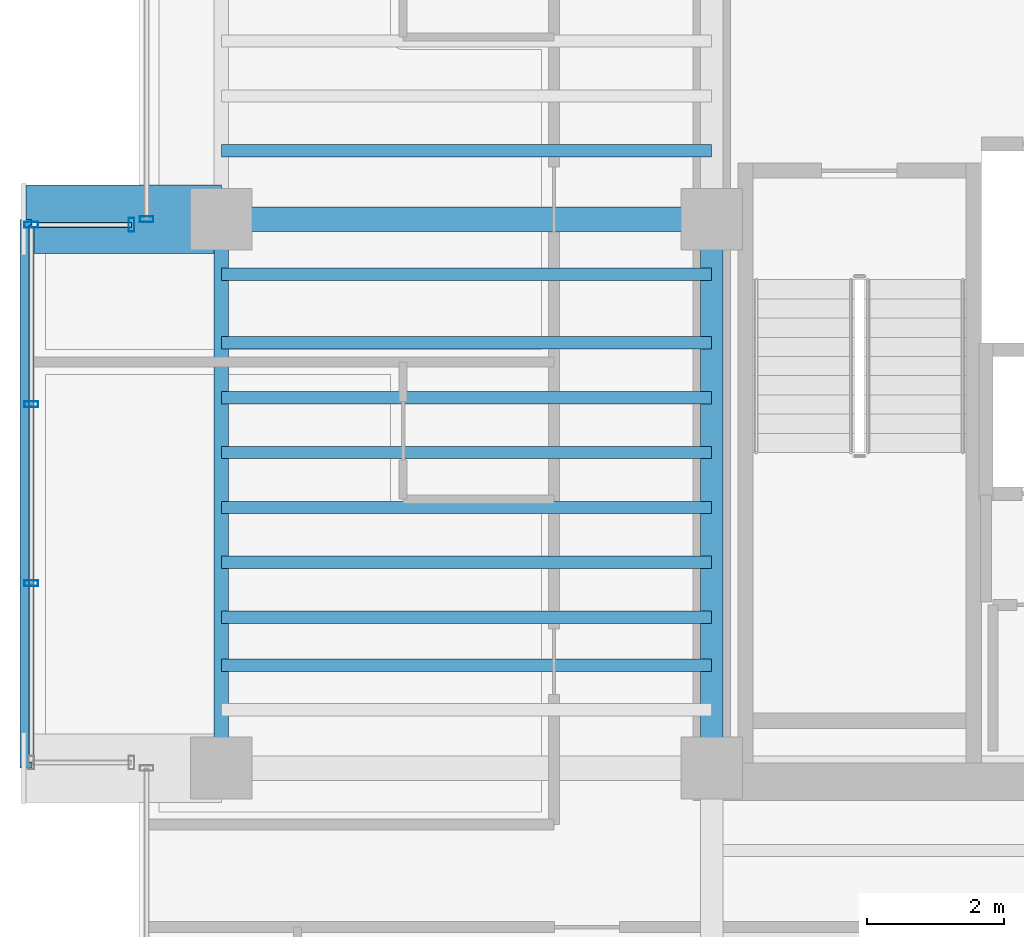
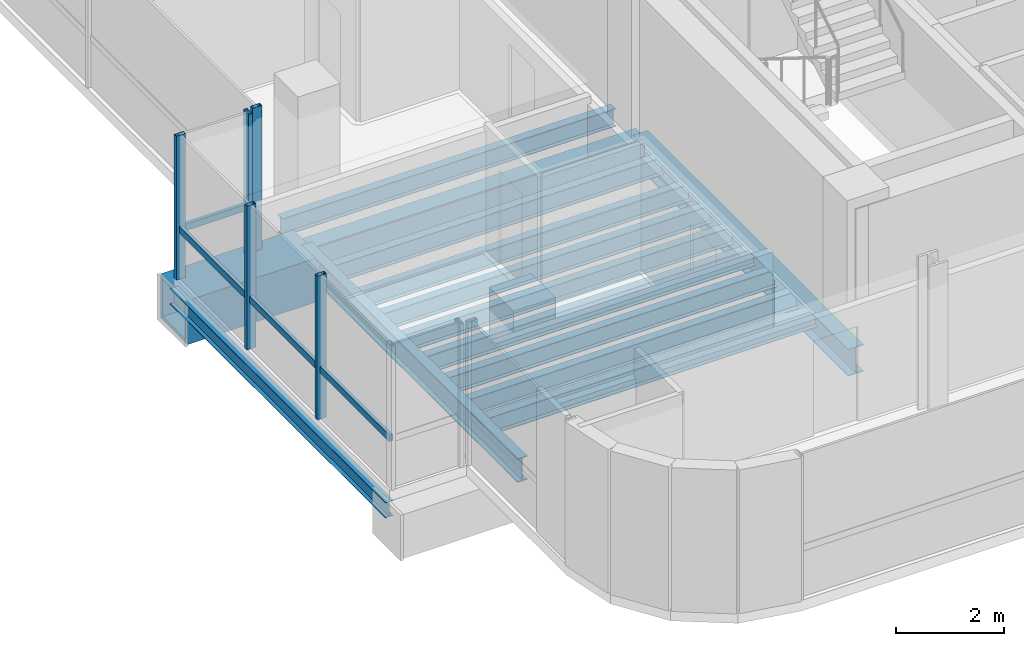
# One storey, part 4 of 24: 14 beams, 7 members, 3 elements without a shape of their own.
"""IFC4 building model written with IfcOpenShell, lengths in metres."""

from ifc_helpers import new_model, si_unit, direction, frame, origin, origin_2d, place, context, subcontext, project, spatial, hollow_rectangle, i_section, extrude, source, transform, mapped, material, material_profile, profile_set, type_object, element, aggregate, save


model = new_model("IFC4")

# Units and contexts
model_context = context("Model", 3, precision=1e-05, world=origin(), true_north=direction((0.0, 1.0)))
body_context = subcontext(model_context, "Body", "Model", "MODEL_VIEW")
ifc_project = project(units=[si_unit("LENGTHUNIT", "METRE"), si_unit("AREAUNIT", "SQUARE_METRE"), si_unit("VOLUMEUNIT", "CUBIC_METRE"), si_unit("PLANEANGLEUNIT", "RADIAN"), si_unit("MASSUNIT", "GRAM", prefix="KILO")], contexts=[model_context])

# Site, building, storey
site_placement = place(None, origin())
site = spatial("IfcSite", under=ifc_project, at=site_placement, CompositionType="ELEMENT")
building_placement = place(site_placement, origin())
building = spatial("IfcBuilding", under=site, at=building_placement, Name="Valdorenza Pilgrim Sanctuary Tower", CompositionType="ELEMENT")
storey_placement = place(building_placement, frame((0.0, 0.0, 230.0)))
storey = spatial("IfcBuildingStorey", under=building, at=storey_placement, Name="L59", CompositionType="ELEMENT", Elevation=230.0)

# Beams
ifc_material_1 = material(Name="Steel ASTM A992 Grade 50", Category="steel")
ifc_material_profile_1 = material_profile(ifc_material_1, i_section(OverallWidth=0.323974609375, OverallDepth=0.611083984375, WebThickness=0.0126953125, FlangeThickness=0.01904296875, at=origin_2d()), Name="W24X104")
ifc_profile_set_1 = profile_set([ifc_material_profile_1], Name="Steel ASTM A992 Grade 50")
beam_type_1 = type_object("IfcBeamType", Name="STR-BM-GRD-W24B", PredefinedType="BEAM", material=ifc_profile_set_1)
shared_shape_1 = source(origin(), body_context, "Body", "SweptSolid", [
    extrude(i_section(OverallWidth=0.323974609375, OverallDepth=0.611083984375, WebThickness=0.0126953125, FlangeThickness=0.01904296875, at=origin_2d()), origin(), (0.0, 0.0, 1.0), 8.0),
])
beam_1_placement = place(storey_placement, frame((-22.64990234375, -10.60009765625, -0.54541015625), z_axis=(0.0, 1.0, 0.0), x_axis=(-1.0, 0.0, 0.0)))
element("IfcBeam", 1, at=beam_1_placement, inside=storey, type_object=beam_type_1, Name="L59 Core Tie Girder CA-W-S1M0", PredefinedType="BEAM", context=body_context, shape_type="MappedRepresentation", body=[
    mapped(shared_shape_1, transform((0.0, 0.0, 0.0), x_axis=(1.0, 0.0, 0.0), y_axis=(0.0, 1.0, 0.0), z_axis=(0.0, 0.0, 1.0), scale=1.0)),
])
ifc_material_profile_2 = material_profile(ifc_material_1, i_section(OverallWidth=0.1708984375, OverallDepth=0.35107421875, WebThickness=0.0068359375, FlangeThickness=0.009765625, at=origin_2d()), Name="W14X30")
ifc_profile_set_2 = profile_set([ifc_material_profile_2], Name="Steel ASTM A992 Grade 50")
beam_type_2 = type_object("IfcBeamType", Name="STR-BM-BOX-W14", PredefinedType="BEAM", material=ifc_profile_set_2)
shared_shape_2 = source(origin(), body_context, "Body", "SweptSolid", [
    extrude(i_section(OverallWidth=0.1708984375, OverallDepth=0.35107421875, WebThickness=0.0068359375, FlangeThickness=0.009765625, at=origin_2d()), origin(), (0.0, 0.0, 1.0), 8.0),
])
beam_2_placement = place(storey_placement, frame((-32.64990234375, -10.60009765625, -0.41552734375), z_axis=(0.0, 1.0, 0.0), x_axis=(-1.0, 0.0, 0.0)))
element("IfcBeam", 2, at=beam_2_placement, inside=storey, type_object=beam_type_2, Name="L59 Glass Box Edge Beam BOX-WA-L59-F", PredefinedType="BEAM", context=body_context, shape_type="MappedRepresentation", body=[
    mapped(shared_shape_2, transform((0.0, 0.0, 0.0), x_axis=(1.0, 0.0, 0.0), y_axis=(0.0, 1.0, 0.0), z_axis=(0.0, 0.0, 1.0), scale=1.0)),
])
ifc_material_2 = material(Name="Steel ASTM A572 Grade 42", Category="steel")
ifc_material_profile_3 = material_profile(ifc_material_2, hollow_rectangle(XDim=1.0, YDim=1.0, WallThickness=0.080078125, at=origin_2d()), Name="BOX 1000x1000x80")
ifc_profile_set_3 = profile_set([ifc_material_profile_3], Name="Steel ASTM A572 Grade 42")
beam_type_3 = type_object("IfcBeamType", Name="STR-BM-PROW-CANT", PredefinedType="BEAM", material=ifc_profile_set_3)
shared_shape_3 = source(origin(), body_context, "Body", "SweptSolid", [
    extrude(hollow_rectangle(XDim=1.0, YDim=1.0, WallThickness=0.080078125, at=origin_2d()), origin(), (0.0, 0.0, 1.0), 2.849853515625),
])
beam_3_placement = place(storey_placement, frame((-29.800048828125, -2.60009765625, -0.739990234375), z_axis=(-1.0, 0.0, 0.0), x_axis=(0.0, -1.0, 0.0)))
element("IfcBeam", 3, at=beam_3_placement, inside=storey, type_object=beam_type_3, Name="L59 Glass Box Cantilever Beam BOX-WA-L59-CT-N", PredefinedType="BEAM", context=body_context, shape_type="MappedRepresentation", body=[
    mapped(shared_shape_3, transform((0.0, 0.0, 0.0), x_axis=(1.0, 0.0, 0.0), y_axis=(0.0, 1.0, 0.0), z_axis=(0.0, 0.0, 1.0), scale=1.0)),
])
ifc_material_profile_4 = material_profile(ifc_material_1, i_section(OverallWidth=0.2109375, OverallDepth=0.5390625, WebThickness=0.01171875, FlangeThickness=0.018798828125, at=origin_2d()), Name="W21X73")
ifc_profile_set_4 = profile_set([ifc_material_profile_4], Name="Steel ASTM A992 Grade 50")
beam_type_4 = type_object("IfcBeamType", Name="STR-BM-SPN-W21B", PredefinedType="SPANDREL", material=ifc_profile_set_4)
shared_shape_4 = source(origin(), body_context, "Body", "SweptSolid", [
    extrude(i_section(OverallWidth=0.2109375, OverallDepth=0.5390625, WebThickness=0.01171875, FlangeThickness=0.018798828125, at=origin_2d()), origin(), (0.0, 0.0, 1.0), 8.0),
])
beam_4_placement = place(storey_placement, frame((-29.800048828125, -10.60009765625, -0.509521484375), z_axis=(0.0, 1.0, 0.0), x_axis=(-1.0, 0.0, 0.0)))
element("IfcBeam", 4, at=beam_4_placement, inside=storey, type_object=beam_type_4, Name="L59 Spandrel Beam WA-W-S1M0", PredefinedType="SPANDREL", context=body_context, shape_type="MappedRepresentation", body=[
    mapped(shared_shape_4, transform((0.0, 0.0, 0.0), x_axis=(1.0, 0.0, 0.0), y_axis=(0.0, 1.0, 0.0), z_axis=(0.0, 0.0, 1.0), scale=1.0)),
])
ifc_material_profile_5 = material_profile(ifc_material_1, i_section(OverallWidth=0.35595703125, OverallDepth=0.700927734375, WebThickness=0.016845703125, FlangeThickness=0.02734375, at=origin_2d()), Name="W27X161")
ifc_profile_set_5 = profile_set([ifc_material_profile_5], Name="Steel ASTM A992 Grade 50")
beam_type_5 = type_object("IfcBeamType", Name="STR-BM-GRD-W27", PredefinedType="BEAM", material=ifc_profile_set_5)
shared_shape_5 = source(origin(), body_context, "Body", "SweptSolid", [
    extrude(i_section(OverallWidth=0.35595703125, OverallDepth=0.700927734375, WebThickness=0.016845703125, FlangeThickness=0.02734375, at=origin_2d()), origin(), (0.0, 0.0, 1.0), 7.150146484375),
])
beam_5_placement = place(storey_placement, frame((-29.800048828125, -2.60009765625, -0.590576171875), z_axis=(1.0, 0.0, 0.0), x_axis=(0.0, 1.0, 0.0)))
element("IfcBeam", 5, at=beam_5_placement, inside=storey, type_object=beam_type_5, Name="L59 Floor Girder WA-XW-M0", PredefinedType="BEAM", context=body_context, shape_type="MappedRepresentation", body=[
    mapped(shared_shape_5, transform((0.0, 0.0, 0.0), x_axis=(1.0, 0.0, 0.0), y_axis=(0.0, 1.0, 0.0), z_axis=(0.0, 0.0, 1.0), scale=1.0)),
])
ifc_material_profile_6 = material_profile(ifc_material_1, i_section(OverallWidth=0.177978515625, OverallDepth=0.406005859375, WebThickness=0.0078125, FlangeThickness=0.0126953125, at=origin_2d()), Name="W16X40")
ifc_profile_set_6 = profile_set([ifc_material_profile_6], Name="Steel ASTM A992 Grade 50")
beam_type_6 = type_object("IfcBeamType", Name="STR-BM-JST-W16", PredefinedType="JOIST", material=ifc_profile_set_6)
shared_shape_6 = source(origin(), body_context, "Body", "SweptSolid", [
    extrude(i_section(OverallWidth=0.177978515625, OverallDepth=0.406005859375, WebThickness=0.0078125, FlangeThickness=0.0126953125, at=origin_2d()), origin(), (0.0, 0.0, 1.0), 7.150146484375),
])
for number, where, z_axis, x_axis, name in (
    (6, (-29.800048828125, -9.10009765625, -0.443115234375), (1.0, 0.0, 0.0), (0.0, 1.0, 0.0), "L59 Composite Floor Joist JST-WA-2"),
    (7, (-29.800048828125, -8.39990234375, -0.443115234375), (1.0, 0.0, 0.0), (0.0, 1.0, 0.0), "L59 Composite Floor Joist JST-WA-3"),
    (8, (-29.800048828125, -7.60009765625, -0.443115234375), (1.0, 0.0, 0.0), (0.0, 1.0, 0.0), "L59 Composite Floor Joist JST-WA-4"),
    (9, (-29.800048828125, -6.800048828125, -0.443115234375), (1.0, 0.0, 0.0), (0.0, 1.0, 0.0), "L59 Composite Floor Joist JST-WA-5"),
    (10, (-29.800048828125, -6.0, -0.443115234375), (1.0, 0.0, 0.0), (0.0, 1.0, 0.0), "L59 Composite Floor Joist JST-WA-6"),
    (11, (-29.800048828125, -5.199951171875, -0.443115234375), (1.0, 0.0, 0.0), (0.0, 1.0, 0.0), "L59 Composite Floor Joist JST-WA-7"),
    (12, (-29.800048828125, -4.39990234375, -0.443115234375), (1.0, 0.0, 0.0), (0.0, 1.0, 0.0), "L59 Composite Floor Joist JST-WA-8"),
    (13, (-29.800048828125, -3.39990234375, -0.443115234375), (1.0, 0.0, 0.0), (0.0, 1.0, 0.0), "L59 Composite Floor Joist JST-WA-9"),
    (14, (-29.800048828125, -1.60009765625, -0.443115234375), (1.0, 0.0, 0.0), (0.0, 1.0, 0.0), "L59 Composite Floor Joist JST-WA-10"),
):
    element("IfcBeam", number, at=place(storey_placement, frame(where, z_axis=z_axis, x_axis=x_axis)), inside=storey, type_object=beam_type_6, Name=name, PredefinedType="JOIST", context=body_context, shape_type="MappedRepresentation", body=[
        mapped(shared_shape_6, transform((0.0, 0.0, 0.0), x_axis=(1.0, 0.0, 0.0), y_axis=(0.0, 1.0, 0.0), z_axis=(0.0, 0.0, 1.0), scale=1.0)),
    ])

# Curtain wall, member
ifc_material_3 = material(Name="Curtain-wall IGU glazing", Category="glass")
curtain_wall_type = type_object("IfcCurtainWallType", Name="CW-SYS-02", PredefinedType="NOTDEFINED", material=ifc_material_3)
curtain_wall_1_placement = place(storey_placement, origin())
curtain_wall_1 = element("IfcCurtainWall", 15, at=curtain_wall_1_placement, inside=storey, type_object=curtain_wall_type, Name="L59 Curtain Wall CW-L59-BOX-WA-L59-N", PredefinedType="NOTDEFINED")
ifc_material_4 = material(Name="Anodised aluminium AW-6060", Category="aluminium")
ifc_material_profile_7 = material_profile(ifc_material_4, hollow_rectangle(XDim=0.074951171875, YDim=0.14990234375, WallThickness=0.00390625, at=origin_2d()), Name="ALU-T 150x75x4")
ifc_profile_set_7 = profile_set([ifc_material_profile_7], Name="Anodised aluminium AW-6060")
member_type_1 = type_object("IfcMemberType", Name="CW-TRN-02", PredefinedType="USERDEFINED", material=ifc_profile_set_7)
shared_shape_7 = source(origin(), body_context, "Body", "SweptSolid", [
    extrude(hollow_rectangle(XDim=0.074951171875, YDim=0.14990234375, WallThickness=0.00390625, at=origin_2d()), origin(), (0.0, 0.0, 1.0), 1.4599609375),
])
member_1_placement = place(storey_placement, frame((-32.570068359375, -2.679931640625, 1.1201171875), z_axis=(1.0, 0.0, 0.0), x_axis=(0.0, 1.0, 0.0)))
member_1 = element("IfcMember", 16, at=member_1_placement, type_object=member_type_1, Name="CW-L59-BOX-WA-L59-N Transom 1", ObjectType="TRANSOM", PredefinedType="USERDEFINED", context=body_context, shape_type="MappedRepresentation", body=[
    mapped(shared_shape_7, transform((0.0, 0.0, 0.0), x_axis=(1.0, 0.0, 0.0), y_axis=(0.0, 1.0, 0.0), z_axis=(0.0, 0.0, 1.0), scale=1.0)),
])

curtain_wall_2_placement = place(storey_placement, origin())
curtain_wall_2 = element("IfcCurtainWall", 17, at=curtain_wall_2_placement, inside=storey, type_object=curtain_wall_type, Name="L59 Curtain Wall CW-L59-BOX-WA-L59-F", PredefinedType="NOTDEFINED")
shared_shape_8 = source(origin(), body_context, "Body", "SweptSolid", [
    extrude(hollow_rectangle(XDim=0.074951171875, YDim=0.14990234375, WallThickness=0.00390625, at=origin_2d()), origin(), (0.0, 0.0, 1.0), 7.840087890625),
])
member_2_placement = place(storey_placement, frame((-32.570068359375, -10.52001953125, 1.1201171875), z_axis=(0.0, 1.0, 0.0), x_axis=(-1.0, 0.0, 0.0)))
member_2 = element("IfcMember", 18, at=member_2_placement, type_object=member_type_1, Name="CW-L59-BOX-WA-L59-F Transom 1", ObjectType="TRANSOM", PredefinedType="USERDEFINED", context=body_context, shape_type="MappedRepresentation", body=[
    mapped(shared_shape_8, transform((0.0, 0.0, 0.0), x_axis=(1.0, 0.0, 0.0), y_axis=(0.0, 1.0, 0.0), z_axis=(0.0, 0.0, 1.0), scale=1.0)),
])

curtain_wall_3_placement = place(storey_placement, origin())
curtain_wall_3 = element("IfcCurtainWall", 19, at=curtain_wall_3_placement, inside=storey, type_object=curtain_wall_type, Name="L59 Curtain Wall CW-L59-1-1S2", PredefinedType="NOTDEFINED")
ifc_material_profile_8 = material_profile(ifc_material_4, hollow_rectangle(XDim=0.0849609375, YDim=0.199951171875, WallThickness=0.0048828125, at=origin_2d()), Name="ALU-M 200x85x5")
ifc_profile_set_8 = profile_set([ifc_material_profile_8], Name="Anodised aluminium AW-6060")
member_type_2 = type_object("IfcMemberType", Name="CW-MUL-02", PredefinedType="MULLION", material=ifc_profile_set_8)
shared_shape_9 = source(origin(), body_context, "Body", "SweptSolid", [
    extrude(hollow_rectangle(XDim=0.0849609375, YDim=0.199951171875, WallThickness=0.0048828125, at=origin_2d()), origin(), (0.0, 0.0, 1.0), 3.260009765625),
])
member_3_placement = place(storey_placement, frame((-30.889892578125, -2.60009765625, 0.0), z_axis=(0.0, 0.0, 1.0), x_axis=(0.0, 1.0, 0.0)))
member_3 = element("IfcMember", 20, at=member_3_placement, type_object=member_type_2, Name="CW-L59-1-1S2 Mullion 1", PredefinedType="MULLION", context=body_context, shape_type="MappedRepresentation", body=[
    mapped(shared_shape_9, transform((0.0, 0.0, 0.0), x_axis=(1.0, 0.0, 0.0), y_axis=(0.0, 1.0, 0.0), z_axis=(0.0, 0.0, 1.0), scale=1.0)),
])
aggregate(curtain_wall_3, [member_3])

# Member
member_4_placement = place(storey_placement, frame((-32.570068359375, -7.90673828125, 0.0), z_axis=(0.0, 0.0, 1.0), x_axis=(0.0, 1.0, 0.0)))
member_4 = element("IfcMember", 21, at=member_4_placement, type_object=member_type_2, Name="CW-L59-BOX-WA-L59-F Mullion 2", PredefinedType="MULLION", context=body_context, shape_type="MappedRepresentation", body=[
    mapped(shared_shape_9, transform((0.0, 0.0, 0.0), x_axis=(1.0, 0.0, 0.0), y_axis=(0.0, 1.0, 0.0), z_axis=(0.0, 0.0, 1.0), scale=1.0)),
])

member_5_placement = place(storey_placement, frame((-32.570068359375, -5.293212890625, 0.0), z_axis=(0.0, 0.0, 1.0), x_axis=(0.0, 1.0, 0.0)))
member_5 = element("IfcMember", 22, at=member_5_placement, type_object=member_type_2, Name="CW-L59-BOX-WA-L59-F Mullion 3", PredefinedType="MULLION", context=body_context, shape_type="MappedRepresentation", body=[
    mapped(shared_shape_9, transform((0.0, 0.0, 0.0), x_axis=(1.0, 0.0, 0.0), y_axis=(0.0, 1.0, 0.0), z_axis=(0.0, 0.0, 1.0), scale=1.0)),
])

member_6_placement = place(storey_placement, frame((-32.570068359375, -2.679931640625, 0.0), z_axis=(0.0, 0.0, 1.0), x_axis=(0.0, 1.0, 0.0)))
member_6 = element("IfcMember", 23, at=member_6_placement, type_object=member_type_2, Name="CW-L59-BOX-WA-L59-F Mullion 4", PredefinedType="MULLION", context=body_context, shape_type="MappedRepresentation", body=[
    mapped(shared_shape_9, transform((0.0, 0.0, 0.0), x_axis=(1.0, 0.0, 0.0), y_axis=(0.0, 1.0, 0.0), z_axis=(0.0, 0.0, 1.0), scale=1.0)),
])

aggregate(curtain_wall_2, [member_4, member_5, member_6, member_2])

member_7_placement = place(storey_placement, frame((-31.110107421875, -2.679931640625, 0.0), z_axis=(0.0, 0.0, 1.0), x_axis=(1.0, 0.0, 0.0)))
member_7 = element("IfcMember", 24, at=member_7_placement, type_object=member_type_2, Name="CW-L59-BOX-WA-L59-N Mullion 2", PredefinedType="MULLION", context=body_context, shape_type="MappedRepresentation", body=[
    mapped(shared_shape_9, transform((0.0, 0.0, 0.0), x_axis=(1.0, 0.0, 0.0), y_axis=(0.0, 1.0, 0.0), z_axis=(0.0, 0.0, 1.0), scale=1.0)),
])

aggregate(curtain_wall_1, [member_7, member_1])

save(model, "model.ifc")
